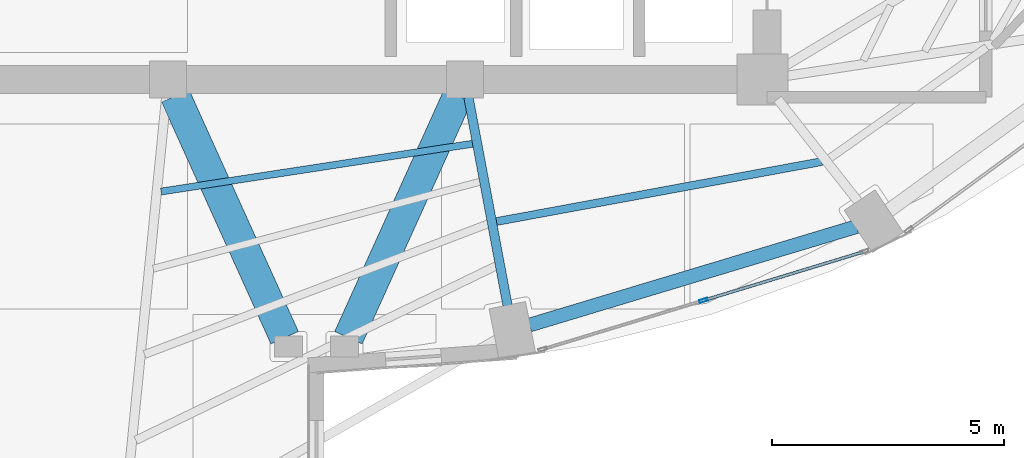
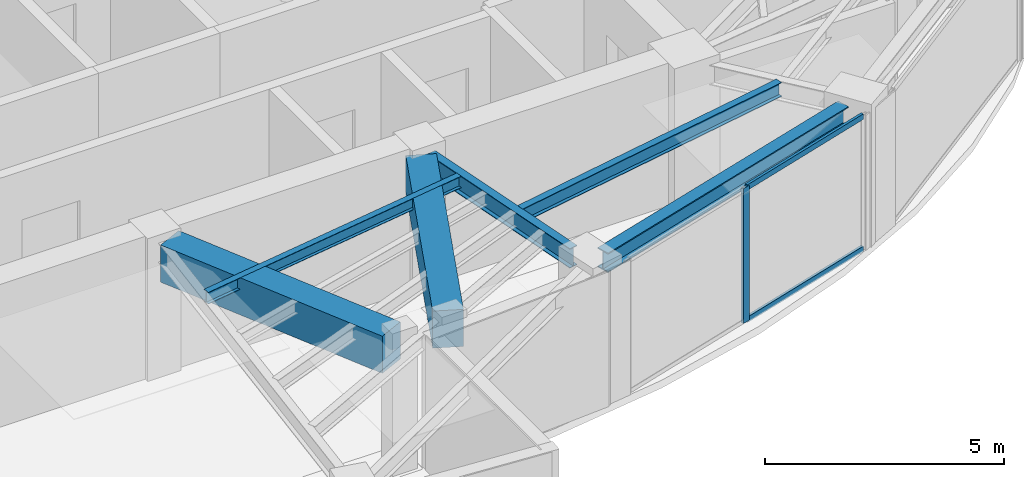
# One storey, part 5 of 21: 6 beams, 3 members, 1 element without a shape of its own.
"""IFC4 building model written with IfcOpenShell, lengths in metres."""

from ifc_helpers import new_model, si_unit, direction, frame, origin, origin_2d, place, context, subcontext, project, spatial, rectangle, hollow_rectangle, i_section, extrude, material, layer, layer_set, material_profile, profile_set, type_object, element, aggregate, save


model = new_model("IFC4")

# Units and contexts
model_context = context("Model", 3, precision=1e-05, world=origin(), true_north=direction((0.0, 1.0)))
body_context = subcontext(model_context, "Body", "Model", "MODEL_VIEW")
ifc_project = project(units=[si_unit("LENGTHUNIT", "METRE"), si_unit("AREAUNIT", "SQUARE_METRE"), si_unit("VOLUMEUNIT", "CUBIC_METRE"), si_unit("PLANEANGLEUNIT", "RADIAN"), si_unit("MASSUNIT", "GRAM", prefix="KILO")], contexts=[model_context])

# Site, building, storey
site_placement = place(None, origin())
site = spatial("IfcSite", under=ifc_project, at=site_placement, CompositionType="ELEMENT")
building_placement = place(site_placement, origin())
building = spatial("IfcBuilding", under=site, at=building_placement, Name="Lazwardi Medical Tower", CompositionType="ELEMENT")
storey_placement = place(building_placement, frame((0.0, 0.0, 216.719970703125)))
storey = spatial("IfcBuildingStorey", under=building, at=storey_placement, Name="L56", CompositionType="ELEMENT", Elevation=216.719970703125)

# Beams
ifc_material_1 = material(Name="Concrete C60/75", Category="concrete")
ifc_material_profile_1 = material_profile(ifc_material_1, rectangle(XDim=0.64990234375, YDim=0.949951171875, at=origin_2d()), Name="RC 650x950")
ifc_profile_set_1 = profile_set([ifc_material_profile_1], Name="Concrete C60/75")
beam_type_1 = type_object("IfcBeamType", Name="BM-CB-RC2", PredefinedType="LINTEL", material=ifc_profile_set_1)
for number, where, z_axis, x_axis, name in (
    (1, (32.95849609375, 20.04931640625, 2.97314453125), (0.412019279944, -0.911175127489, 0.0), (0.911175127489, 0.412019279944, 0.0), "Core coupling lintel CB-02 PL3 L56"),
    (2, (39.04150390625, 20.04931640625, 2.97314453125), (-0.412019279944, -0.911175127489, 0.0), (0.911175127489, -0.412019279944, 0.0), "Core coupling lintel CB-02 PL4 L56"),
):
    element("IfcBeam", number, at=place(storey_placement, frame(where, z_axis=z_axis, x_axis=x_axis)), inside=storey, type_object=beam_type_1, Name=name, PredefinedType="LINTEL", context=body_context, shape_type="SweptSolid", body=[
        extrude(rectangle(XDim=0.64990234375, YDim=0.949951171875, at=origin_2d()), origin(), (0.0, 0.0, 1.0), 5.7158203125),
    ])
ifc_material_2 = material(Name="Steel S355", Category="steel")
ifc_material_profile_2 = material_profile(ifc_material_2, i_section(OverallWidth=0.300048828125, OverallDepth=0.5, WebThickness=0.014404296875, FlangeThickness=0.028076171875, at=origin_2d()), Name="HEB 500")
ifc_profile_set_2 = profile_set([ifc_material_profile_2], Name="Steel S355")
beam_type_2 = type_object("IfcBeamType", Name="BM-RB-Z4", PredefinedType="BEAM", material=ifc_profile_set_2)
beam_1_placement = place(storey_placement, frame((40.58740234375, 15.114013671875, 3.197998046875), z_axis=(0.957544311906, 0.288286126506, 0.0), x_axis=(-0.288286126506, 0.957544311906, 0.0)))
element("IfcBeam", 3, at=beam_1_placement, inside=storey, type_object=beam_type_2, Name="Ring beam RB-05 B01 L56", PredefinedType="BEAM", context=body_context, shape_type="SweptSolid", body=[
    extrude(i_section(OverallWidth=0.300048828125, OverallDepth=0.5, WebThickness=0.014404296875, FlangeThickness=0.028076171875, at=origin_2d()), origin(), (0.0, 0.0, 1.0), 7.3515625),
])
ifc_material_profile_3 = material_profile(ifc_material_2, i_section(OverallWidth=0.199951171875, OverallDepth=0.5, WebThickness=0.01025390625, FlangeThickness=0.01611328125, at=origin_2d()), Name="IPE 500")
ifc_profile_set_3 = profile_set([ifc_material_profile_3], Name="Steel S355")
beam_type_3 = type_object("IfcBeamType", Name="BM-RG-W3", PredefinedType="BEAM", material=ifc_profile_set_3)
beam_2_placement = place(storey_placement, frame((40.115234375, 15.527587890625, 3.197998046875), z_axis=(-0.184633463507, 0.982807450192, 0.0), x_axis=(-0.982807450192, -0.184633463507, 0.0)))
element("IfcBeam", 4, at=beam_2_placement, inside=storey, type_object=beam_type_3, Name="Radial girder RG-04 R01 L56", PredefinedType="BEAM", context=body_context, shape_type="SweptSolid", body=[
    extrude(i_section(OverallWidth=0.199951171875, OverallDepth=0.5, WebThickness=0.01025390625, FlangeThickness=0.01611328125, at=origin_2d()), origin(), (0.0, 0.0, 1.0), 4.572509765625),
])
ifc_material_profile_4 = material_profile(ifc_material_2, i_section(OverallWidth=0.169921875, OverallDepth=0.360107421875, WebThickness=0.008056640625, FlangeThickness=0.0126953125, at=origin_2d()), Name="IPE 360")
ifc_profile_set_4 = profile_set([ifc_material_profile_4], Name="Steel S355")
beam_type_4 = type_object("IfcBeamType", Name="BM-SJ-02", PredefinedType="JOIST", material=ifc_profile_set_4)
beam_3_placement = place(storey_placement, frame((39.87109375, 17.34228515625, 3.26806640625), z_axis=(0.983427965623, 0.181299300688, 0.0), x_axis=(-0.181299300688, 0.983427965623, 0.0)))
element("IfcBeam", 5, at=beam_3_placement, inside=storey, type_object=beam_type_4, Name="Secondary joist SJ-02 R2 B01 L56", PredefinedType="JOIST", context=body_context, shape_type="SweptSolid", body=[
    extrude(i_section(OverallWidth=0.169921875, OverallDepth=0.360107421875, WebThickness=0.008056640625, FlangeThickness=0.0126953125, at=origin_2d()), origin(), (0.0, 0.0, 1.0), 7.127685546875),
])
ifc_material_profile_5 = material_profile(ifc_material_2, i_section(OverallWidth=0.14990234375, OverallDepth=0.300048828125, WebThickness=0.007080078125, FlangeThickness=0.0107421875, at=origin_2d()), Name="IPE 300")
ifc_profile_set_5 = profile_set([ifc_material_profile_5], Name="Steel S355")
beam_type_5 = type_object("IfcBeamType", Name="BM-SJ-03", PredefinedType="JOIST", material=ifc_profile_set_5)
beam_4_placement = place(storey_placement, frame((32.652587890625, 17.989013671875, 3.298095703125), z_axis=(0.988433562862, 0.151654514629, 0.0), x_axis=(-0.151654514629, 0.988433562862, 0.0)))
element("IfcBeam", 6, at=beam_4_placement, inside=storey, type_object=beam_type_5, Name="Secondary joist SJ-03 R4 B16 L56", PredefinedType="JOIST", context=body_context, shape_type="SweptSolid", body=[
    extrude(i_section(OverallWidth=0.14990234375, OverallDepth=0.300048828125, WebThickness=0.007080078125, FlangeThickness=0.0107421875, at=origin_2d()), origin(), (0.0, 0.0, 1.0), 6.788818359375),
])

# Curtain wall, members
ifc_material_3 = material(Name="Anodised bronze aluminium and solar control glazing", Category="aluminium")
ifc_layer = layer(ifc_material_3, 0.18994140625)
ifc_layer_set = layer_set([ifc_layer], Name="Anodised bronze aluminium and solar control glazing")
curtain_wall_type = type_object("IfcCurtainWallType", Name="CW-SYS-04", PredefinedType="NOTDEFINED", material=ifc_layer_set)
curtain_wall_placement = place(storey_placement, origin())
curtain_wall = element("IfcCurtainWall", 7, at=curtain_wall_placement, inside=storey, type_object=curtain_wall_type, Name="L56 Unitised bronze curtain wall CW-04", PredefinedType="NOTDEFINED")
ifc_material_4 = material(Name="Anodised bronze aluminium", Category="aluminium")
ifc_material_profile_6 = material_profile(ifc_material_4, hollow_rectangle(XDim=0.06494140625, YDim=0.179931640625, WallThickness=0.00390625, at=origin_2d()), Name="ALU-MULLION 180x65x4")
ifc_profile_set_6 = profile_set([ifc_material_profile_6], Name="Anodised bronze aluminium")
member_type_1 = type_object("IfcMemberType", Name="CW-MUL-03", PredefinedType="MULLION", material=ifc_profile_set_6)
member_1_placement = place(storey_placement, frame((44.33642578125, 15.644775390625, 0.0), z_axis=(0.0, 0.0, 1.0), x_axis=(-0.290581889515, 0.956850126972, 0.0)))
member_1 = element("IfcMember", 8, at=member_1_placement, type_object=member_type_1, Name="CW-04 mullion 2", PredefinedType="MULLION", context=body_context, shape_type="SweptSolid", body=[
    extrude(hollow_rectangle(XDim=0.06494140625, YDim=0.179931640625, WallThickness=0.00390625, at=origin_2d()), origin(), (0.0, 0.0, 1.0), 3.447998046875),
])
ifc_material_profile_7 = material_profile(ifc_material_4, hollow_rectangle(XDim=0.06494140625, YDim=0.139892578125, WallThickness=0.00341796875, at=origin_2d()), Name="ALU-TRANSOM 140x65x3.5")
ifc_profile_set_7 = profile_set([ifc_material_profile_7], Name="Anodised bronze aluminium")
member_type_2 = type_object("IfcMemberType", Name="CW-TRN-03", PredefinedType="USERDEFINED", material=ifc_profile_set_7)
member_2_placement = place(storey_placement, frame((44.367431640625, 15.654052734375, 0.032470703125), z_axis=(0.956843409009, 0.290604010015, 0.0), x_axis=(-0.290604010015, 0.956843409009, 0.0)))
member_2 = element("IfcMember", 9, at=member_2_placement, type_object=member_type_2, Name="CW-04 transom 2.1", ObjectType="TRANSOM", PredefinedType="USERDEFINED", context=body_context, shape_type="SweptSolid", body=[
    extrude(hollow_rectangle(XDim=0.06494140625, YDim=0.139892578125, WallThickness=0.00341796875, at=origin_2d()), origin(), (0.0, 0.0, 1.0), 3.554443359375),
])
member_3_placement = place(storey_placement, frame((44.367431640625, 15.654052734375, 3.41552734375), z_axis=(0.956843409009, 0.290604010015, 0.0), x_axis=(-0.290604010015, 0.956843409009, 0.0)))
member_3 = element("IfcMember", 10, at=member_3_placement, type_object=member_type_2, Name="CW-04 transom 2.2", ObjectType="TRANSOM", PredefinedType="USERDEFINED", context=body_context, shape_type="SweptSolid", body=[
    extrude(hollow_rectangle(XDim=0.06494140625, YDim=0.139892578125, WallThickness=0.00341796875, at=origin_2d()), origin(), (0.0, 0.0, 1.0), 3.554443359375),
])
aggregate(curtain_wall, [member_1, member_2, member_3])

save(model, "model.ifc")
